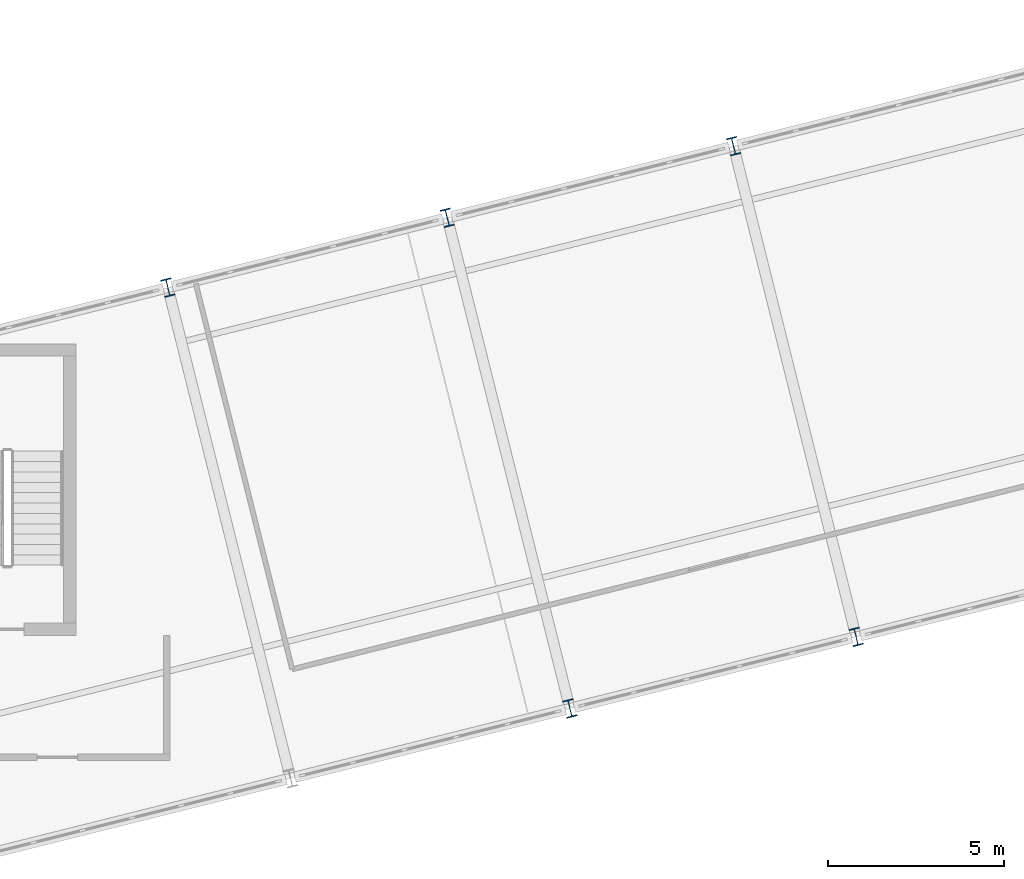
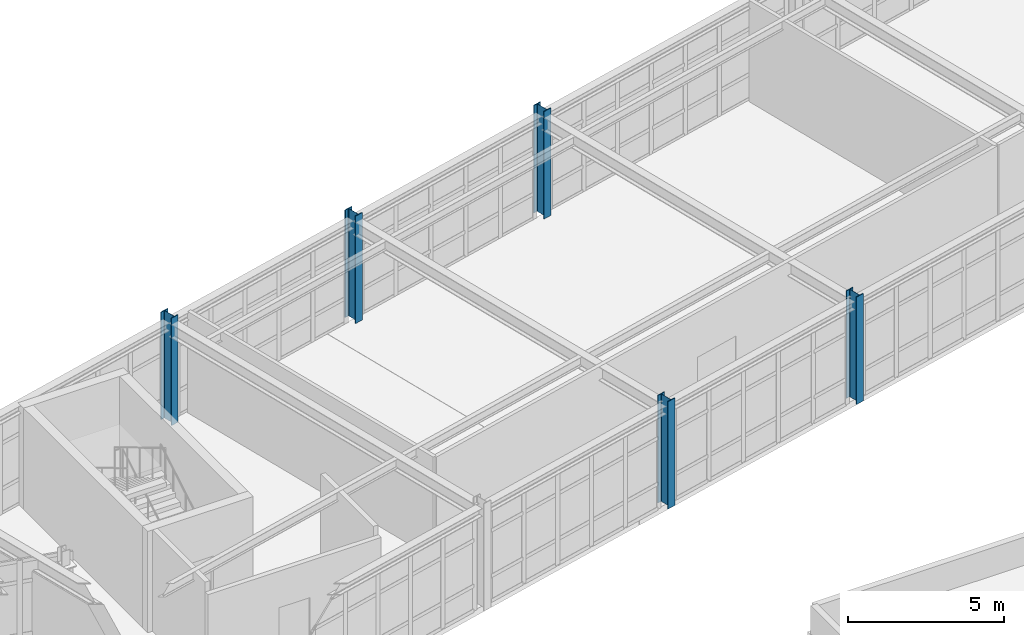
# One storey, part 4 of 99: 5 columns.
"""IFC4 building model written with IfcOpenShell, lengths in metres."""

import ifcopenshell
import ifcopenshell.guid

model = None  # the IFC model being written
_history = None  # IfcOwnerHistory: only IFC2X3 demands one
_inside = {}  # id of a spatial element -> (the spatial element, [elements in it])
_under = {}  # id of a project, library or spatial element -> (it, [spatial elements below it])
_declared = {}  # id of a project -> (the project, [libraries it declares])
_typed = {}  # id of a type object -> (the type object, [elements of that type])
_made_of = {}  # id of a material, layer set ... -> (it, [elements and type objects made of it])


def new_model(schema):
    """Start an empty IFC model of exactly this schema.

    Asked for "IFC4X3", IfcOpenShell would pick the latest addendum, in which some entities
    have other attributes; the version numbers below select the first issue.
    IFC2X3 requires an IfcOwnerHistory on every rooted entity: one is made here for all.
    """
    global model, _history
    if schema == "IFC4X3":
        model = ifcopenshell.file(schema_version=(4, 3, 0, 0))
    else:
        model = ifcopenshell.file(schema=schema)
    _inside.clear()
    _under.clear()
    _declared.clear()
    _typed.clear()
    _made_of.clear()
    _history = None
    if model.schema == "IFC2X3":
        org = make("IfcOrganization", Name="unknown")
        user = make(
            "IfcPersonAndOrganization",
            ThePerson=make("IfcPerson", FamilyName="unknown"),
            TheOrganization=org,
        )
        app = make(
            "IfcApplication",
            ApplicationDeveloper=org,
            Version="unknown",
            ApplicationFullName="unknown",
            ApplicationIdentifier="unknown",
        )
        _history = make(
            "IfcOwnerHistory",
            OwningUser=user,
            OwningApplication=app,
            ChangeAction="ADDED",
            CreationDate=0,
        )
    return model


def make(cls, **values):
    """One entity of the class cls with the attributes given. An attribute that is None is left unset."""
    return model.create_entity(
        cls, **{name: value for name, value in values.items() if value is not None}
    )


def rooted(cls, **values):
    """An entity with a GlobalId (a new one), such as an element, a storey or a relation."""
    return make(cls, GlobalId=ifcopenshell.guid.new(), OwnerHistory=_history, **values)


def si_unit(unit_type, name, prefix=None):
    """IfcSIUnit, for example si_unit("LENGTHUNIT", "METRE", prefix="MILLI")."""
    return make("IfcSIUnit", UnitType=unit_type, Prefix=prefix, Name=name)


def assignment(units):
    """IfcUnitAssignment: the units of a project."""
    return None if units is None else make("IfcUnitAssignment", Units=units)


def point(xyz):
    """IfcCartesianPoint."""
    return None if xyz is None else make("IfcCartesianPoint", Coordinates=xyz)


def direction(xyz):
    """IfcDirection."""
    return None if xyz is None else make("IfcDirection", DirectionRatios=xyz)


def frame(location, z_axis=None, x_axis=None):
    """IfcAxis2Placement3D, a coordinate frame: its origin and axes. An axis left out is left unset."""
    return make(
        "IfcAxis2Placement3D",
        Location=point(location),
        Axis=direction(z_axis),
        RefDirection=direction(x_axis),
    )


def frame_2d(location, x_axis=None):
    """IfcAxis2Placement2D, a coordinate frame in the plane: its origin and x axis."""
    return make(
        "IfcAxis2Placement2D", Location=point(location), RefDirection=direction(x_axis)
    )


def origin():
    """The frame at (0, 0, 0) with its axes left unset."""
    return frame((0.0, 0.0, 0.0))


def origin_2d():
    """The frame at (0, 0) in the plane with its x axis left unset."""
    return frame_2d((0.0, 0.0))


def place(relative_to, where):
    """IfcLocalPlacement: puts the frame where relative to a parent placement (None: the world)."""
    return make(
        "IfcLocalPlacement", PlacementRelTo=relative_to, RelativePlacement=where
    )


def context(
    kind, dimensions, precision=None, world=None, true_north=None, identifier=None
):
    """IfcGeometricRepresentationContext, for example the 3D "Model" context."""
    return make(
        "IfcGeometricRepresentationContext",
        ContextIdentifier=identifier,
        ContextType=kind,
        CoordinateSpaceDimension=dimensions,
        Precision=precision,
        WorldCoordinateSystem=world,
        TrueNorth=true_north,
    )


def subcontext(parent, identifier, kind, view, scale=None):
    """IfcGeometricRepresentationSubContext, for example "Body" below "Model"."""
    return make(
        "IfcGeometricRepresentationSubContext",
        ContextIdentifier=identifier,
        ContextType=kind,
        ParentContext=parent,
        TargetScale=scale,
        TargetView=view,
    )


def project(units=None, contexts=None):
    """IfcProject with its units and contexts."""
    return rooted(
        "IfcProject",
        Name="project",
        RepresentationContexts=contexts,
        UnitsInContext=assignment(units),
    )


def spatial(cls, under=None, at=None, **own):
    """A site, building, storey or space (cls), placed at a placement, below another one or the project."""
    s = rooted(cls, ObjectPlacement=at, **own)
    if under is not None:
        _under.setdefault(under.id(), (under, []))[1].append(s)
    return s


def profile(cls, at=None, kind="AREA", **sizes):
    """A parametric profile (cls). Its sizes go by their IFC names, for example OverallWidth=200.0."""
    return make(cls, ProfileType=kind, Position=at, **sizes)


def i_section(**sizes):
    """IfcIShapeProfileDef."""
    return profile("IfcIShapeProfileDef", **sizes)


def extrude(swept, where, along, depth):
    """IfcExtrudedAreaSolid: the profile swept, set in the frame where, extruded along a direction by depth."""
    return make(
        "IfcExtrudedAreaSolid",
        SweptArea=swept,
        Position=where,
        ExtrudedDirection=direction(along),
        Depth=depth,
    )


def shape(context_of_items, identifier, shape_type, items):
    """IfcShapeRepresentation: the items that make up one representation, for example the "Body"."""
    return make(
        "IfcShapeRepresentation",
        ContextOfItems=context_of_items,
        RepresentationIdentifier=identifier,
        RepresentationType=shape_type,
        Items=items,
    )


def material(Name=None, Category=None):
    """IfcMaterial."""
    return make("IfcMaterial", Name=Name, Category=Category)


def material_profile(
    of_material, cross_section, Name=None, Category=None, Priority=None
):
    """IfcMaterialProfile: a cross section and its material."""
    return make(
        "IfcMaterialProfile",
        Name=Name,
        Material=of_material,
        Profile=cross_section,
        Priority=Priority,
        Category=Category,
    )


def profile_set(profiles, Name=None, composite=None):
    """IfcMaterialProfileSet."""
    return make(
        "IfcMaterialProfileSet",
        Name=Name,
        MaterialProfiles=profiles,
        CompositeProfile=composite,
    )


def made_of(thing, what):
    """Note that an element or type object is made of a material, layer set ...; save() writes the relation."""
    if what is not None:
        _made_of.setdefault(what.id(), (what, []))[1].append(thing)
    return thing


def type_object(cls, material=None, **own):
    """A type object (cls), such as IfcWallType, which elements share."""
    return made_of(rooted(cls, **own), material)


def element(
    cls,
    number,
    at=None,
    inside=None,
    cuts=None,
    type_object=None,
    material=None,
    context=None,
    identifier="Body",
    shape_type=None,
    held_by="IfcProductDefinitionShape",
    body=None,
    shapes=None,
    **own,
):
    """One element of the class cls, such as IfcWall. Its Tag is "e" and its number.

    at: its placement. inside: the storey or other place that contains it. cuts: it is an
    opening in that element (IfcRelVoidsElement). A single representation is given by context,
    identifier, shape_type and body (its items); several are given by shapes. held_by: the class
    of the entity that holds the representations. save() writes the other relations.
    """
    e = rooted(cls, Tag="e%d" % number, ObjectPlacement=at, **own)
    if body is not None:
        shapes = [shape(context, identifier, shape_type, body)]
    if shapes is not None:
        e.Representation = make(held_by, Representations=shapes)
    if inside is not None:
        _inside.setdefault(inside.id(), (inside, []))[1].append(e)
    if cuts is not None:
        rooted(
            "IfcRelVoidsElement", RelatingBuildingElement=cuts, RelatedOpeningElement=e
        )
    if type_object is not None:
        _typed.setdefault(type_object.id(), (type_object, []))[1].append(e)
    return made_of(e, material)


def aggregate(whole, parts):
    """IfcRelAggregates: a whole, such as a stair, and the parts it consists of."""
    return rooted("IfcRelAggregates", RelatingObject=whole, RelatedObjects=parts)


def save(model, path):
    """Write the relations noted so far, then the file.

    IfcRelAggregates (storeys below a building ...), IfcRelContainedInSpatialStructure (elements
    in a storey), IfcRelDefinesByType, IfcRelAssociatesMaterial and IfcRelDeclares: one each for
    every whole, place, type object, material and project.
    """
    for whole, parts in _under.values():
        aggregate(whole, parts)
    for where, things in _inside.values():
        rooted(
            "IfcRelContainedInSpatialStructure",
            RelatedElements=things,
            RelatingStructure=where,
        )
    for kind, things in _typed.values():
        rooted("IfcRelDefinesByType", RelatedObjects=things, RelatingType=kind)
    for what, things in _made_of.values():
        rooted("IfcRelAssociatesMaterial", RelatedObjects=things, RelatingMaterial=what)
    for by, libraries in _declared.values():
        rooted("IfcRelDeclares", RelatingContext=by, RelatedDefinitions=libraries)
    model.write(path)


model = new_model("IFC4")

# Units and contexts
model_context = context("Model", 3, precision=1e-05, world=origin(), true_north=direction((0.0, 1.0)))
body_context = subcontext(model_context, "Body", "Model", "MODEL_VIEW")
ifc_project = project(units=[si_unit("LENGTHUNIT", "METRE"), si_unit("AREAUNIT", "SQUARE_METRE"), si_unit("VOLUMEUNIT", "CUBIC_METRE"), si_unit("PLANEANGLEUNIT", "RADIAN"), si_unit("MASSUNIT", "GRAM", prefix="KILO")], contexts=[model_context])

# Site, building, storey
site_placement = place(None, origin())
site = spatial("IfcSite", under=ifc_project, at=site_placement, CompositionType="ELEMENT")
building_placement = place(site_placement, origin())
building = spatial("IfcBuilding", under=site, at=building_placement, Name="Nordkorset Police Headquarters", CompositionType="ELEMENT")
storey_placement = place(building_placement, frame((0.0, 0.0, 5.25)))
storey = spatial("IfcBuildingStorey", under=building, at=storey_placement, Name="L01", CompositionType="ELEMENT", Elevation=5.25)

# Columns
ifc_material = material(Name="Steel S355J2", Category="steel")
ifc_material_profile = material_profile(ifc_material, i_section(OverallWidth=0.300048828125, OverallDepth=0.5, WebThickness=0.014404296875, FlangeThickness=0.028076171875, FilletRadius=0.027099609375, at=origin_2d()), Name="HEB 500")
ifc_profile_set = profile_set([ifc_material_profile], Name="Steel S355J2")
column_type = type_object("IfcColumnType", Name="Col_HEB_500", PredefinedType="COLUMN", material=ifc_profile_set)
for number, where, z_axis, x_axis, name in (
    (1, (31.943115234375, 58.928955078125, 0.0), (0.0, 0.0, 1.0), (0.970142500145, 0.242535625038, 0.0), "Structural Column V4_U1_V1 L01"),
    (2, (43.390869140625, 46.94775390625, 0.0), (0.0, 0.0, 1.0), (0.970142500145, 0.242535625038, 0.0), "Structural Column V4_U2_V0 L01"),
    (3, (39.8984375, 60.917724609375, 0.0), (0.0, 0.0, 1.0), (0.970142500145, 0.242535625038, 0.0), "Structural Column V4_U2_V1 L01"),
    (4, (51.5400390625, 48.985107421875, 0.0), (0.0, 0.0, 1.0), (0.970142500145, 0.242535625038, 0.0), "Structural Column V4_U3_V0 L01"),
    (5, (48.047607421875, 62.955078125, 0.0), (0.0, 0.0, 1.0), (0.970142500145, 0.242535625038, 0.0), "Structural Column V4_U3_V1 L01"),
):
    element("IfcColumn", number, at=place(storey_placement, frame(where, z_axis=z_axis, x_axis=x_axis)), inside=storey, type_object=column_type, Name=name, PredefinedType="COLUMN", context=body_context, shape_type="SweptSolid", body=[
        extrude(i_section(OverallWidth=0.300048828125, OverallDepth=0.5, WebThickness=0.014404296875, FlangeThickness=0.028076171875, FilletRadius=0.027099609375, at=origin_2d()), origin(), (0.0, 0.0, 1.0), 4.199951171875),
    ])

save(model, "model.ifc")
